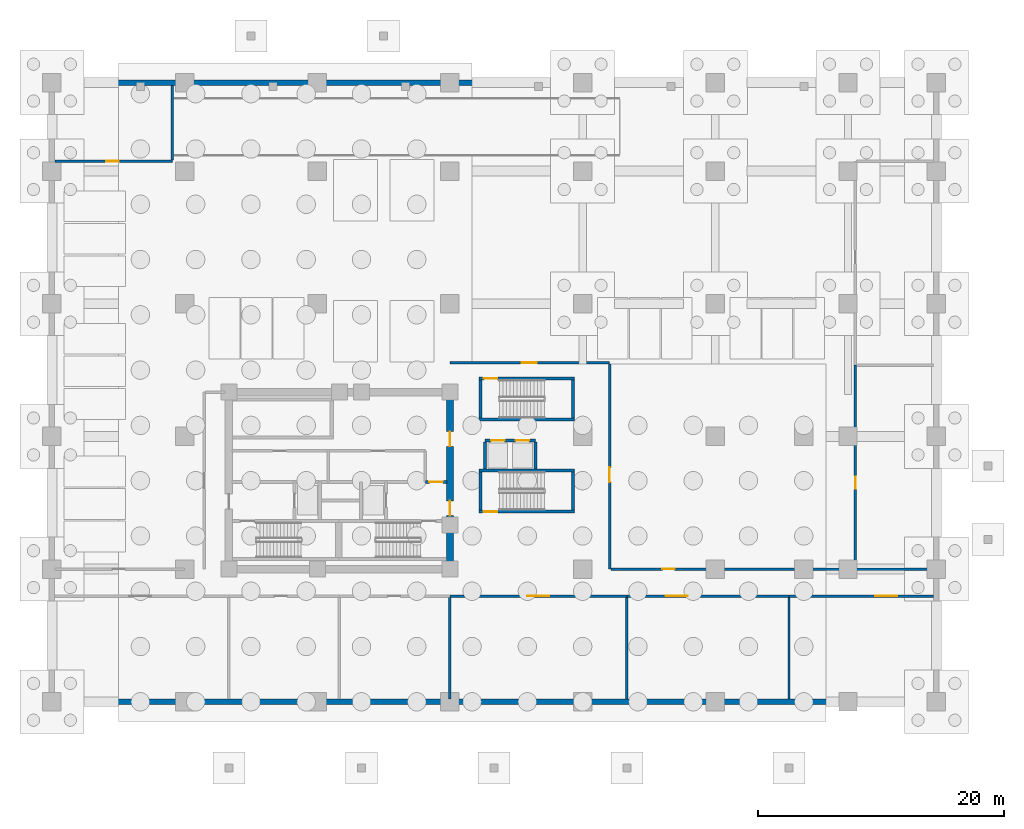
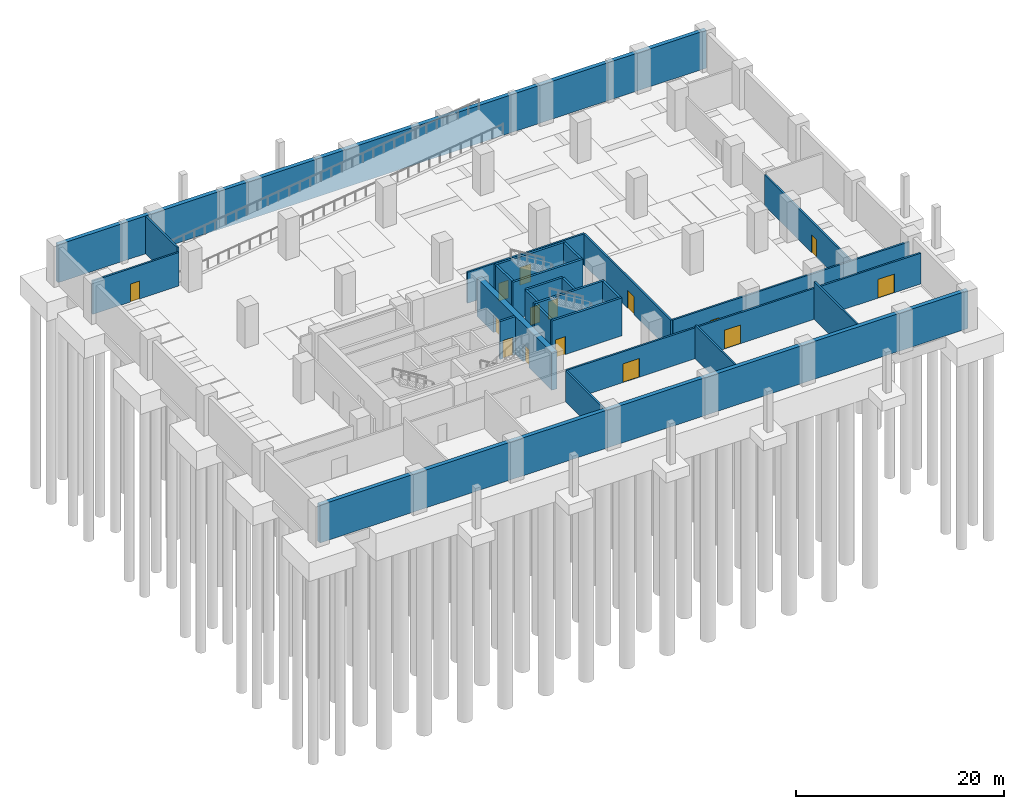
# One storey, part 4 of 9: 27 walls, 15 doors, 15 openings.
"""IFC4 building model written with IfcOpenShell, lengths in metres."""

from ifc_helpers import new_model, si_unit, direction, frame, frame_2d, origin, place, context, subcontext, project, spatial, rectangle, extrude, material, layer, layer_set, type_object, element, fill, save


model = new_model("IFC4")

# Units and contexts
model_context = context("Model", 3, precision=1e-05, world=origin(), true_north=direction((0.0, 1.0)))
body_context = subcontext(model_context, "Body", "Model", "MODEL_VIEW")
ifc_project = project(units=[si_unit("LENGTHUNIT", "METRE"), si_unit("AREAUNIT", "SQUARE_METRE"), si_unit("VOLUMEUNIT", "CUBIC_METRE"), si_unit("PLANEANGLEUNIT", "RADIAN"), si_unit("MASSUNIT", "GRAM", prefix="KILO")], contexts=[model_context])

# Site, building, storey
site_placement = place(None, origin())
site = spatial("IfcSite", under=ifc_project, at=site_placement, CompositionType="ELEMENT")
building_placement = place(site_placement, origin())
building = spatial("IfcBuilding", under=site, at=building_placement, Name="Solnavia Interchange Tower", CompositionType="ELEMENT")
storey_placement = place(building_placement, frame((0.0, 0.0, -9.60009765625)))
storey = spatial("IfcBuildingStorey", under=building, at=storey_placement, Name="B02", CompositionType="ELEMENT", Elevation=-9.60009765625)

# Wall
ifc_material_1 = material(Name="Concrete C40/50", Category="concrete")
ifc_layer_1 = layer(ifc_material_1, 0.199951171875)
ifc_layer_set_1 = layer_set([ifc_layer_1], Name="Concrete C40/50")
wall_type_1 = type_object("IfcWallType", Name="Wall-PlantFire-200", PredefinedType="PARTITIONING", material=ifc_layer_set_1)
wall_1_placement = place(storey_placement, frame((32.39990234375, 0.22900390625, 0.0), z_axis=(0.0, 0.0, 1.0), x_axis=(0.0, 1.0, 0.0)))
element("IfcWall", 1, at=wall_1_placement, inside=storey, type_object=wall_type_1, Name="PTW-B02-06 Interior partition wall", PredefinedType="PARTITIONING", context=body_context, shape_type="SweptSolid", body=[
    extrude(rectangle(XDim=8.26708984375, YDim=0.199951171875, at=frame_2d((4.133544921875, 0.0))), origin(), (0.0, 0.0, 1.0), 3.630126953125),
])

# Wall, opening, door
wall_2_placement = place(storey_placement, frame((32.39990234375, 8.60009765625, 0.0), z_axis=(0.0, 0.0, 1.0), x_axis=(1.0, 0.0, 0.0)))
wall_2 = element("IfcWall", 2, at=wall_2_placement, inside=storey, type_object=wall_type_1, Name="PTW-B02-07 Interior partition wall", PredefinedType="PARTITIONING", context=body_context, shape_type="SweptSolid", body=[
    extrude(rectangle(XDim=14.400146484375, YDim=0.199951171875, at=frame_2d((7.2001953125, 0.0))), origin(), (0.0, 0.0, 1.0), 3.630126953125),
])
opening_1_placement = place(wall_2_placement, frame((6.300048828125, 0.0, 0.0)))
opening_1 = element("IfcOpeningElement", 3, at=opening_1_placement, cuts=wall_2, Name="Opening DR-05", PredefinedType="OPENING", context=body_context, shape_type="SweptSolid", body=[
    extrude(rectangle(XDim=1.800048828125, YDim=2.199951171875, at=frame_2d((0.89990234375, 1.10009765625))), frame((0.0, 0.10986328125, 0.0), z_axis=(0.0, -1.0, 0.0), x_axis=(1.0, 0.0, 0.0)), (0.0, 0.0, 1.0), 0.219970703125),
])
ifc_material_2 = material(Name="Steel Double Fire Door", Category="steel")
door_type_1 = type_object("IfcDoorType", Name="Door-PlantDouble-1800x2200", OperationType="DOUBLE_DOOR_SINGLE_SWING", PredefinedType="DOOR", material=ifc_material_2)
door_1_placement = place(opening_1_placement, origin())
door_1 = element("IfcDoor", 4, at=door_1_placement, inside=storey, type_object=door_type_1, Name="DR-B02-04 Interior room door", OperationType="DOUBLE_DOOR_SINGLE_SWING", OverallHeight=2.199951171875, OverallWidth=1.800048828125, PredefinedType="DOOR", context=body_context, shape_type="SweptSolid", body=[
    extrude(rectangle(XDim=1.800048828125, YDim=2.199951171875, at=frame_2d((0.89990234375, 1.10009765625))), frame((0.0, 0.02490234375, 0.0), z_axis=(0.0, -1.0, 0.0), x_axis=(1.0, 0.0, 0.0)), (0.0, 0.0, 1.0), 0.050048828125),
])
fill(opening_1, door_1)

# Wall
wall_3_placement = place(storey_placement, frame((46.800048828125, 0.22900390625, 0.0), z_axis=(0.0, 0.0, 1.0), x_axis=(0.0, 1.0, 0.0)))
element("IfcWall", 5, at=wall_3_placement, inside=storey, type_object=wall_type_1, Name="PTW-B02-08 Interior partition wall", PredefinedType="PARTITIONING", context=body_context, shape_type="SweptSolid", body=[
    extrude(rectangle(XDim=8.26708984375, YDim=0.199951171875, at=frame_2d((4.133544921875, 0.0))), origin(), (0.0, 0.0, 1.0), 3.93017578125),
])

# Wall, opening, door
wall_4_placement = place(storey_placement, frame((46.800048828125, 8.60009765625, 0.0), z_axis=(0.0, 0.0, 1.0), x_axis=(1.0, 0.0, 0.0)))
wall_4 = element("IfcWall", 6, at=wall_4_placement, inside=storey, type_object=wall_type_1, Name="PTW-B02-09 Interior partition wall", PredefinedType="PARTITIONING", context=body_context, shape_type="SweptSolid", body=[
    extrude(rectangle(XDim=13.199951171875, YDim=0.199951171875, at=frame_2d((6.60009765625, 0.0))), origin(), (0.0, 0.0, 1.0), 3.630126953125),
])
opening_2_placement = place(wall_4_placement, frame((3.158935546875, 0.0, 0.0)))
opening_2 = element("IfcOpeningElement", 7, at=opening_2_placement, cuts=wall_4, Name="Opening DR-05", PredefinedType="OPENING", context=body_context, shape_type="SweptSolid", body=[
    extrude(rectangle(XDim=1.800048828125, YDim=2.199951171875, at=frame_2d((0.89990234375, 1.10009765625))), frame((0.0, 0.10986328125, 0.0), z_axis=(0.0, -1.0, 0.0), x_axis=(1.0, 0.0, 0.0)), (0.0, 0.0, 1.0), 0.219970703125),
])
door_2_placement = place(opening_2_placement, origin())
door_2 = element("IfcDoor", 8, at=door_2_placement, inside=storey, type_object=door_type_1, Name="DR-B02-05 Interior room door", OperationType="DOUBLE_DOOR_SINGLE_SWING", OverallHeight=2.199951171875, OverallWidth=1.800048828125, PredefinedType="DOOR", context=body_context, shape_type="SweptSolid", body=[
    extrude(rectangle(XDim=1.800048828125, YDim=2.199951171875, at=frame_2d((0.89990234375, 1.10009765625))), frame((0.0, 0.02490234375, 0.0), z_axis=(0.0, -1.0, 0.0), x_axis=(1.0, 0.0, 0.0)), (0.0, 0.0, 1.0), 0.050048828125),
])
fill(opening_2, door_2)

# Wall
wall_5_placement = place(storey_placement, frame((60.0, 0.22900390625, 0.0), z_axis=(0.0, 0.0, 1.0), x_axis=(0.0, 1.0, 0.0)))
element("IfcWall", 9, at=wall_5_placement, inside=storey, type_object=wall_type_1, Name="PTW-B02-10 Interior partition wall", PredefinedType="PARTITIONING", context=body_context, shape_type="SweptSolid", body=[
    extrude(rectangle(XDim=8.26708984375, YDim=0.199951171875, at=frame_2d((4.133544921875, 0.0))), origin(), (0.0, 0.0, 1.0), 4.43505859375),
])

# Wall, opening, door
wall_6_placement = place(storey_placement, frame((60.0, 8.60009765625, 0.0), z_axis=(0.0, 0.0, 1.0), x_axis=(1.0, 0.0, 0.0)))
wall_6 = element("IfcWall", 10, at=wall_6_placement, inside=storey, type_object=wall_type_1, Name="PTW-B02-11 Interior partition wall", PredefinedType="PARTITIONING", context=body_context, shape_type="SweptSolid", body=[
    extrude(rectangle(XDim=11.77099609375, YDim=0.199951171875, at=frame_2d((5.885498046875, 0.0))), origin(), (0.0, 0.0, 1.0), 3.630126953125),
])
opening_3_placement = place(wall_6_placement, frame((7.02001953125, 0.0, 0.0)))
opening_3 = element("IfcOpeningElement", 11, at=opening_3_placement, cuts=wall_6, Name="Opening DR-05", PredefinedType="OPENING", context=body_context, shape_type="SweptSolid", body=[
    extrude(rectangle(XDim=1.800048828125, YDim=2.199951171875, at=frame_2d((0.89990234375, 1.10009765625))), frame((0.0, 0.10986328125, 0.0), z_axis=(0.0, -1.0, 0.0), x_axis=(1.0, 0.0, 0.0)), (0.0, 0.0, 1.0), 0.219970703125),
])
door_3_placement = place(opening_3_placement, origin())
door_3 = element("IfcDoor", 12, at=door_3_placement, inside=storey, type_object=door_type_1, Name="DR-B02-06 Interior room door", OperationType="DOUBLE_DOOR_SINGLE_SWING", OverallHeight=2.199951171875, OverallWidth=1.800048828125, PredefinedType="DOOR", context=body_context, shape_type="SweptSolid", body=[
    extrude(rectangle(XDim=1.800048828125, YDim=2.199951171875, at=frame_2d((0.89990234375, 1.10009765625))), frame((0.0, 0.02490234375, 0.0), z_axis=(0.0, -1.0, 0.0), x_axis=(1.0, 0.0, 0.0)), (0.0, 0.0, 1.0), 0.050048828125),
])
fill(opening_3, door_3)

wall_7_placement = place(storey_placement, frame((32.39990234375, 27.60009765625, 0.0), z_axis=(0.0, 0.0, 1.0), x_axis=(1.0, 0.0, 0.0)))
wall_7 = element("IfcWall", 13, at=wall_7_placement, inside=storey, type_object=wall_type_1, Name="PTW-B02-15 Interior partition wall", PredefinedType="PARTITIONING", context=body_context, shape_type="SweptSolid", body=[
    extrude(rectangle(XDim=13.0, YDim=0.199951171875, at=frame_2d((6.5, 0.0))), origin(), (0.0, 0.0, 1.0), 3.630126953125),
])
opening_4_placement = place(wall_7_placement, frame((5.860107421875, 0.0, 0.0)))
opening_4 = element("IfcOpeningElement", 14, at=opening_4_placement, cuts=wall_7, Name="Opening DR-02", PredefinedType="OPENING", context=body_context, shape_type="SweptSolid", body=[
    extrude(rectangle(XDim=1.199951171875, YDim=2.10009765625, at=frame_2d((0.60009765625, 1.050048828125))), frame((0.0, 0.10986328125, 0.0), z_axis=(0.0, -1.0, 0.0), x_axis=(1.0, 0.0, 0.0)), (0.0, 0.0, 1.0), 0.219970703125),
])
ifc_material_3 = material(Name="Steel Fire-Rated Vision-Panel Door", Category="steel")
door_type_2 = type_object("IfcDoorType", Name="Door-LobbyFire-1200x2100", OperationType="SINGLE_SWING_RIGHT", PredefinedType="DOOR", material=ifc_material_3)
door_4_placement = place(opening_4_placement, origin())
door_4 = element("IfcDoor", 15, at=door_4_placement, inside=storey, type_object=door_type_2, Name="DR-B02-09 Interior room door", OperationType="SINGLE_SWING_LEFT", OverallHeight=2.10009765625, OverallWidth=1.199951171875, PredefinedType="DOOR", context=body_context, shape_type="SweptSolid", body=[
    extrude(rectangle(XDim=1.199951171875, YDim=2.10009765625, at=frame_2d((0.60009765625, 1.050048828125))), frame((0.0, 0.02490234375, 0.0), z_axis=(0.0, -1.0, 0.0), x_axis=(1.0, 0.0, 0.0)), (0.0, 0.0, 1.0), 0.050048828125),
])
fill(opening_4, door_4)

wall_8_placement = place(storey_placement, frame((45.39990234375, 10.800048828125, 0.0), z_axis=(0.0, 0.0, 1.0), x_axis=(0.0, 1.0, 0.0)))
wall_8 = element("IfcWall", 16, at=wall_8_placement, inside=storey, type_object=wall_type_1, Name="PTW-B02-16 Interior partition wall", PredefinedType="PARTITIONING", context=body_context, shape_type="SweptSolid", body=[
    extrude(rectangle(XDim=16.696044921875, YDim=0.199951171875, at=frame_2d((8.34814453125, 0.0))), origin(), (0.0, 0.0, 1.0), 3.630126953125),
])
opening_5_placement = place(wall_8_placement, frame((7.08203125, 0.0, 0.0)))
opening_5 = element("IfcOpeningElement", 17, at=opening_5_placement, cuts=wall_8, Name="Opening DR-02", PredefinedType="OPENING", context=body_context, shape_type="SweptSolid", body=[
    extrude(rectangle(XDim=1.199951171875, YDim=2.10009765625, at=frame_2d((0.60009765625, 1.050048828125))), frame((0.0, 0.10986328125, 0.0), z_axis=(0.0, -1.0, 0.0), x_axis=(1.0, 0.0, 0.0)), (0.0, 0.0, 1.0), 0.219970703125),
])
door_5_placement = place(opening_5_placement, origin())
door_5 = element("IfcDoor", 18, at=door_5_placement, inside=storey, type_object=door_type_2, Name="DR-B02-10 Interior room door", OperationType="SINGLE_SWING_RIGHT", OverallHeight=2.10009765625, OverallWidth=1.199951171875, PredefinedType="DOOR", context=body_context, shape_type="SweptSolid", body=[
    extrude(rectangle(XDim=1.199951171875, YDim=2.10009765625, at=frame_2d((0.60009765625, 1.050048828125))), frame((0.0, 0.02490234375, 0.0), z_axis=(0.0, -1.0, 0.0), x_axis=(1.0, 0.0, 0.0)), (0.0, 0.0, 1.0), 0.050048828125),
])
fill(opening_5, door_5)

wall_9_placement = place(storey_placement, frame((45.50390625, 10.800048828125, 0.0), z_axis=(0.0, 0.0, 1.0), x_axis=(1.0, 0.0, 0.0)))
wall_9 = element("IfcWall", 19, at=wall_9_placement, inside=storey, type_object=wall_type_1, Name="PTW-B02-17 Interior partition wall", PredefinedType="PARTITIONING", context=body_context, shape_type="SweptSolid", body=[
    extrude(rectangle(XDim=26.26708984375, YDim=0.199951171875, at=frame_2d((13.133544921875, 0.0))), origin(), (0.0, 0.0, 1.0), 3.630126953125),
])
opening_6_placement = place(wall_9_placement, frame((4.18994140625, 0.0, 0.0)))
opening_6 = element("IfcOpeningElement", 20, at=opening_6_placement, cuts=wall_9, Name="Opening DR-04", PredefinedType="OPENING", context=body_context, shape_type="SweptSolid", body=[
    extrude(rectangle(XDim=1.0, YDim=2.10009765625, at=frame_2d((0.5, 1.050048828125))), frame((0.0, 0.10986328125, 0.0), z_axis=(0.0, -1.0, 0.0), x_axis=(1.0, 0.0, 0.0)), (0.0, 0.0, 1.0), 0.219970703125),
])
ifc_material_4 = material(Name="Steel Fire-Rated Plant Door", Category="steel")
door_type_3 = type_object("IfcDoorType", Name="Door-PlantFire-1000x2100", OperationType="SINGLE_SWING_LEFT", PredefinedType="DOOR", material=ifc_material_4)
door_6_placement = place(opening_6_placement, origin())
door_6 = element("IfcDoor", 21, at=door_6_placement, inside=storey, type_object=door_type_3, Name="DR-B02-11 Interior room door", OperationType="SINGLE_SWING_LEFT", OverallHeight=2.10009765625, OverallWidth=1.0, PredefinedType="DOOR", context=body_context, shape_type="SweptSolid", body=[
    extrude(rectangle(XDim=1.0, YDim=2.10009765625, at=frame_2d((0.5, 1.050048828125))), frame((0.0, 0.02490234375, 0.0), z_axis=(0.0, -1.0, 0.0), x_axis=(1.0, 0.0, 0.0)), (0.0, 0.0, 1.0), 0.050048828125),
])
fill(opening_6, door_6)

wall_10_placement = place(storey_placement, frame((0.22900390625, 44.0, 0.0), z_axis=(0.0, 0.0, 1.0), x_axis=(1.0, 0.0, 0.0)))
wall_10 = element("IfcWall", 22, at=wall_10_placement, inside=storey, type_object=wall_type_1, Name="PTW-B02-18 Interior partition wall", PredefinedType="PARTITIONING", context=body_context, shape_type="SweptSolid", body=[
    extrude(rectangle(XDim=9.571044921875, YDim=0.199951171875, at=frame_2d((4.78564453125, 0.0))), origin(), (0.0, 0.0, 1.0), 3.93017578125),
])
opening_7_placement = place(wall_10_placement, frame((4.2109375, 0.0, 0.0)))
opening_7 = element("IfcOpeningElement", 23, at=opening_7_placement, cuts=wall_10, Name="Opening DR-04", PredefinedType="OPENING", context=body_context, shape_type="SweptSolid", body=[
    extrude(rectangle(XDim=1.0, YDim=2.10009765625, at=frame_2d((0.5, 1.050048828125))), frame((0.0, 0.10986328125, 0.0), z_axis=(0.0, -1.0, 0.0), x_axis=(1.0, 0.0, 0.0)), (0.0, 0.0, 1.0), 0.219970703125),
])
door_7_placement = place(opening_7_placement, origin())
door_7 = element("IfcDoor", 24, at=door_7_placement, inside=storey, type_object=door_type_3, Name="DR-B02-12 Interior room door", OperationType="SINGLE_SWING_LEFT", OverallHeight=2.10009765625, OverallWidth=1.0, PredefinedType="DOOR", context=body_context, shape_type="SweptSolid", body=[
    extrude(rectangle(XDim=1.0, YDim=2.10009765625, at=frame_2d((0.5, 1.050048828125))), frame((0.0, 0.02490234375, 0.0), z_axis=(0.0, -1.0, 0.0), x_axis=(1.0, 0.0, 0.0)), (0.0, 0.0, 1.0), 0.050048828125),
])
fill(opening_7, door_7)

# Wall
wall_11_placement = place(storey_placement, frame((9.800048828125, 44.10400390625, 0.0), z_axis=(0.0, 0.0, 1.0), x_axis=(0.0, 1.0, 0.0)))
element("IfcWall", 25, at=wall_11_placement, inside=storey, type_object=wall_type_1, Name="PTW-B02-19 Interior partition wall", PredefinedType="PARTITIONING", context=body_context, shape_type="SweptSolid", body=[
    extrude(rectangle(XDim=6.06689453125, YDim=0.199951171875, at=frame_2d((3.033447265625, 0.0))), origin(), (0.0, 0.0, 1.0), 4.43505859375),
])

# Wall, opening, door
wall_12_placement = place(storey_placement, frame((65.39990234375, 10.904052734375, 0.0), z_axis=(0.0, 0.0, 1.0), x_axis=(0.0, 1.0, 0.0)))
wall_12 = element("IfcWall", 26, at=wall_12_placement, inside=storey, type_object=wall_type_1, Name="PTW-B02-20 Interior partition wall", PredefinedType="PARTITIONING", context=body_context, shape_type="SweptSolid", body=[
    extrude(rectangle(XDim=16.495849609375, YDim=0.199951171875, at=frame_2d((8.248046875, 0.0))), origin(), (0.0, 0.0, 1.0), 3.630126953125),
])
opening_8_placement = place(wall_12_placement, frame((6.4189453125, 0.0, 0.0)))
opening_8 = element("IfcOpeningElement", 27, at=opening_8_placement, cuts=wall_12, Name="Opening DR-04", PredefinedType="OPENING", context=body_context, shape_type="SweptSolid", body=[
    extrude(rectangle(XDim=1.0, YDim=2.10009765625, at=frame_2d((0.5, 1.050048828125))), frame((0.0, 0.10986328125, 0.0), z_axis=(0.0, -1.0, 0.0), x_axis=(1.0, 0.0, 0.0)), (0.0, 0.0, 1.0), 0.219970703125),
])
door_8_placement = place(opening_8_placement, origin())
door_8 = element("IfcDoor", 28, at=door_8_placement, inside=storey, type_object=door_type_3, Name="DR-B02-13 Interior room door", OperationType="SINGLE_SWING_LEFT", OverallHeight=2.10009765625, OverallWidth=1.0, PredefinedType="DOOR", context=body_context, shape_type="SweptSolid", body=[
    extrude(rectangle(XDim=1.0, YDim=2.10009765625, at=frame_2d((0.5, 1.050048828125))), frame((0.0, 0.02490234375, 0.0), z_axis=(0.0, -1.0, 0.0), x_axis=(1.0, 0.0, 0.0)), (0.0, 0.0, 1.0), 0.050048828125),
])
fill(opening_8, door_8)

# Walls
ifc_layer_2 = layer(ifc_material_1, 0.449951171875)
ifc_layer_set_2 = layer_set([ifc_layer_2], Name="Concrete C40/50")
wall_type_2 = type_object("IfcWallType", Name="Wall-Retaining-450", PredefinedType="SOLIDWALL", material=ifc_layer_set_2)
for number, where, z_axis, x_axis, name in (
    (29, (0.0, 0.0, 0.0), (0.0, 0.0, 1.0), (1.0, 0.0, 0.0), "RTW-B02-01 Basement perimeter retaining wall"),
    (30, (72.0, 50.39990234375, 0.0), (0.0, 0.0, 1.0), (-1.0, 0.0, 0.0), "RTW-B02-03 Basement perimeter retaining wall"),
):
    element("IfcWall", number, at=place(storey_placement, frame(where, z_axis=z_axis, x_axis=x_axis)), inside=storey, type_object=wall_type_2, Name=name, PredefinedType="SOLIDWALL", context=body_context, shape_type="SweptSolid", body=[
        extrude(rectangle(XDim=72.0, YDim=0.449951171875, at=frame_2d((36.0, 0.0))), origin(), (0.0, 0.0, 1.0), 4.4501953125),
    ])

# Wall, opening, door
ifc_layer_3 = layer(ifc_material_1, 0.25)
ifc_layer_set_3 = layer_set([ifc_layer_3], Name="Concrete C40/50")
wall_type_3 = type_object("IfcWallType", Name="Wall-ShaftCore-250", PredefinedType="SHEAR", material=ifc_layer_set_3)
wall_13_placement = place(storey_placement, frame((34.75, 15.47509765625, 0.0), z_axis=(0.0, 0.0, 1.0), x_axis=(1.0, 0.0, 0.0)))
wall_13 = element("IfcWall", 31, at=wall_13_placement, inside=storey, type_object=wall_type_3, Name="SHW-B02-STP1S Core shear wall", PredefinedType="SHEAR", context=body_context, shape_type="SweptSolid", body=[
    extrude(rectangle(XDim=7.800048828125, YDim=0.25, at=frame_2d((3.89990234375, 0.0))), origin(), (0.0, 0.0, 1.0), 4.4501953125),
])
opening_9_placement = place(wall_13_placement, frame((0.405029296875, 0.0, 0.0)))
opening_9 = element("IfcOpeningElement", 32, at=opening_9_placement, cuts=wall_13, Name="Opening DR-01", PredefinedType="OPENING", context=body_context, shape_type="SweptSolid", body=[
    extrude(rectangle(XDim=1.10009765625, YDim=2.10009765625, at=frame_2d((0.550048828125, 1.050048828125))), frame((0.0, 0.135009765625, 0.0), z_axis=(0.0, -1.0, 0.0), x_axis=(1.0, 0.0, 0.0)), (0.0, 0.0, 1.0), 0.27001953125),
])
ifc_material_5 = material(Name="Steel Fire-Rated Leaf & Frame", Category="steel")
door_type_4 = type_object("IfcDoorType", Name="Door-StairFire-1100x2100", OperationType="SINGLE_SWING_LEFT", PredefinedType="DOOR", material=ifc_material_5)
door_9_placement = place(opening_9_placement, origin())
door_9 = element("IfcDoor", 33, at=door_9_placement, inside=storey, type_object=door_type_4, Name="DR-B02-STP1 Core fire door", OperationType="SINGLE_SWING_LEFT", OverallHeight=2.10009765625, OverallWidth=1.10009765625, PredefinedType="DOOR", context=body_context, shape_type="SweptSolid", body=[
    extrude(rectangle(XDim=1.10009765625, YDim=2.10009765625, at=frame_2d((0.550048828125, 1.050048828125))), frame((0.0, 0.02490234375, 0.0), z_axis=(0.0, -1.0, 0.0), x_axis=(1.0, 0.0, 0.0)), (0.0, 0.0, 1.0), 0.050048828125),
])
fill(opening_9, door_9)

# Walls
wall_14_placement = place(storey_placement, frame((34.75, 18.824951171875, 0.0), z_axis=(0.0, 0.0, 1.0), x_axis=(1.0, 0.0, 0.0)))
element("IfcWall", 34, at=wall_14_placement, inside=storey, type_object=wall_type_3, Name="SHW-B02-STP1N Core shear wall", PredefinedType="SHEAR", context=body_context, shape_type="SweptSolid", body=[
    extrude(rectangle(XDim=7.800048828125, YDim=0.25, at=frame_2d((3.89990234375, 0.0))), origin(), (0.0, 0.0, 1.0), 4.4501953125),
])
for number, where, z_axis, x_axis, name in (
    (35, (34.875, 15.60009765625, 0.0), (0.0, 0.0, 1.0), (0.0, 1.0, 0.0), "SHW-B02-STP1W Core shear wall"),
    (36, (42.425048828125, 15.60009765625, 0.0), (0.0, 0.0, 1.0), (0.0, 1.0, 0.0), "SHW-B02-STP1E Core shear wall"),
):
    element("IfcWall", number, at=place(storey_placement, frame(where, z_axis=z_axis, x_axis=x_axis)), inside=storey, type_object=wall_type_3, Name=name, PredefinedType="SHEAR", context=body_context, shape_type="SweptSolid", body=[
        extrude(rectangle(XDim=3.099853515625, YDim=0.25, at=frame_2d((1.5498046875, 0.0))), origin(), (0.0, 0.0, 1.0), 4.4501953125),
    ])
wall_15_placement = place(storey_placement, frame((34.75, 22.97509765625, 0.0), z_axis=(0.0, 0.0, 1.0), x_axis=(1.0, 0.0, 0.0)))
element("IfcWall", 37, at=wall_15_placement, inside=storey, type_object=wall_type_3, Name="SHW-B02-STP2S Core shear wall", PredefinedType="SHEAR", context=body_context, shape_type="SweptSolid", body=[
    extrude(rectangle(XDim=7.800048828125, YDim=0.25, at=frame_2d((3.89990234375, 0.0))), origin(), (0.0, 0.0, 1.0), 4.4501953125),
])

# Wall, opening, door
wall_16_placement = place(storey_placement, frame((34.75, 26.324951171875, 0.0), z_axis=(0.0, 0.0, 1.0), x_axis=(1.0, 0.0, 0.0)))
wall_16 = element("IfcWall", 38, at=wall_16_placement, inside=storey, type_object=wall_type_3, Name="SHW-B02-STP2N Core shear wall", PredefinedType="SHEAR", context=body_context, shape_type="SweptSolid", body=[
    extrude(rectangle(XDim=7.800048828125, YDim=0.25, at=frame_2d((3.89990234375, 0.0))), origin(), (0.0, 0.0, 1.0), 4.4501953125),
])
opening_10_placement = place(wall_16_placement, frame((0.405029296875, 0.0, 0.0)))
opening_10 = element("IfcOpeningElement", 39, at=opening_10_placement, cuts=wall_16, Name="Opening DR-01", PredefinedType="OPENING", context=body_context, shape_type="SweptSolid", body=[
    extrude(rectangle(XDim=1.10009765625, YDim=2.10009765625, at=frame_2d((0.550048828125, 1.050048828125))), frame((0.0, 0.135009765625, 0.0), z_axis=(0.0, -1.0, 0.0), x_axis=(1.0, 0.0, 0.0)), (0.0, 0.0, 1.0), 0.27001953125),
])
door_10_placement = place(opening_10_placement, origin())
door_10 = element("IfcDoor", 40, at=door_10_placement, inside=storey, type_object=door_type_4, Name="DR-B02-STP2 Core fire door", OperationType="SINGLE_SWING_RIGHT", OverallHeight=2.10009765625, OverallWidth=1.10009765625, PredefinedType="DOOR", context=body_context, shape_type="SweptSolid", body=[
    extrude(rectangle(XDim=1.10009765625, YDim=2.10009765625, at=frame_2d((0.550048828125, 1.050048828125))), frame((0.0, 0.02490234375, 0.0), z_axis=(0.0, -1.0, 0.0), x_axis=(1.0, 0.0, 0.0)), (0.0, 0.0, 1.0), 0.050048828125),
])
fill(opening_10, door_10)

# Walls
for number, where, z_axis, x_axis, name in (
    (41, (34.875, 23.10009765625, 0.0), (0.0, 0.0, 1.0), (0.0, 1.0, 0.0), "SHW-B02-STP2W Core shear wall"),
    (42, (42.425048828125, 23.10009765625, 0.0), (0.0, 0.0, 1.0), (0.0, 1.0, 0.0), "SHW-B02-STP2E Core shear wall"),
):
    element("IfcWall", number, at=place(storey_placement, frame(where, z_axis=z_axis, x_axis=x_axis)), inside=storey, type_object=wall_type_3, Name=name, PredefinedType="SHEAR", context=body_context, shape_type="SweptSolid", body=[
        extrude(rectangle(XDim=3.099853515625, YDim=0.25, at=frame_2d((1.5498046875, 0.0))), origin(), (0.0, 0.0, 1.0), 4.4501953125),
    ])

# Wall, opening, door
ifc_layer_4 = layer(ifc_material_1, 0.25)
ifc_layer_set_4 = layer_set([ifc_layer_4], Name="Concrete C40/50")
wall_type_4 = type_object("IfcWallType", Name="Wall-ShaftPart-250", PredefinedType="PARTITIONING", material=ifc_layer_set_4)
wall_17_placement = place(storey_placement, frame((30.39990234375, 17.89990234375, 0.0), z_axis=(0.0, 0.0, 1.0), x_axis=(1.0, 0.0, 0.0)))
wall_17 = element("IfcWall", 43, at=wall_17_placement, inside=storey, type_object=wall_type_4, Name="SHW-B02-FFLE-N2 Core shaft wall", PredefinedType="PARTITIONING", context=body_context, shape_type="SweptSolid", body=[
    extrude(rectangle(XDim=1.75, YDim=0.25, at=frame_2d((0.875, 0.0))), origin(), (0.0, 0.0, 1.0), 4.43505859375),
])
opening_11_placement = place(wall_17_placement, frame((0.320068359375, 0.0, 0.0)))
opening_11 = element("IfcOpeningElement", 44, at=opening_11_placement, cuts=wall_17, Name="Opening DR-01", PredefinedType="OPENING", context=body_context, shape_type="SweptSolid", body=[
    extrude(rectangle(XDim=1.10009765625, YDim=2.10009765625, at=frame_2d((0.550048828125, 1.050048828125))), frame((0.0, 0.135009765625, 0.0), z_axis=(0.0, -1.0, 0.0), x_axis=(1.0, 0.0, 0.0)), (0.0, 0.0, 1.0), 0.27001953125),
])
door_11_placement = place(opening_11_placement, origin())
door_11 = element("IfcDoor", 45, at=door_11_placement, inside=storey, type_object=door_type_4, Name="DR-B02-LLC Core fire door", OperationType="SINGLE_SWING_LEFT", OverallHeight=2.10009765625, OverallWidth=1.10009765625, PredefinedType="DOOR", context=body_context, shape_type="SweptSolid", body=[
    extrude(rectangle(XDim=1.10009765625, YDim=2.10009765625, at=frame_2d((0.550048828125, 1.050048828125))), frame((0.0, 0.02490234375, 0.0), z_axis=(0.0, -1.0, 0.0), x_axis=(1.0, 0.0, 0.0)), (0.0, 0.0, 1.0), 0.050048828125),
])
fill(opening_11, door_11)

# Wall, openings, doors
wall_18_placement = place(storey_placement, frame((35.25, 21.280029296875, 0.0), z_axis=(0.0, 0.0, 1.0), x_axis=(1.0, 0.0, 0.0)))
wall_18 = element("IfcWall", 46, at=wall_18_placement, inside=storey, type_object=wall_type_4, Name="SHW-B02-PLN Core shaft wall", PredefinedType="PARTITIONING", context=body_context, shape_type="SweptSolid", body=[
    extrude(rectangle(XDim=4.10009765625, YDim=0.25, at=frame_2d((2.050048828125, 0.0))), origin(), (0.0, 0.0, 1.0), 4.43505859375),
])
opening_12_placement = place(wall_18_placement, frame((0.5, 0.0, 0.0)))
opening_12 = element("IfcOpeningElement", 47, at=opening_12_placement, cuts=wall_18, Name="Opening LD-01", PredefinedType="OPENING", context=body_context, shape_type="SweptSolid", body=[
    extrude(rectangle(XDim=1.10009765625, YDim=2.10009765625, at=frame_2d((0.550048828125, 1.050048828125))), frame((0.0, 0.135009765625, 0.0), z_axis=(0.0, -1.0, 0.0), x_axis=(1.0, 0.0, 0.0)), (0.0, 0.0, 1.0), 0.27001953125),
])
opening_13_placement = place(wall_18_placement, frame((2.5, 0.0, 0.0)))
opening_13 = element("IfcOpeningElement", 48, at=opening_13_placement, cuts=wall_18, Name="Opening LD-01", PredefinedType="OPENING", context=body_context, shape_type="SweptSolid", body=[
    extrude(rectangle(XDim=1.10009765625, YDim=2.10009765625, at=frame_2d((0.550048828125, 1.050048828125))), frame((0.0, 0.135009765625, 0.0), z_axis=(0.0, -1.0, 0.0), x_axis=(1.0, 0.0, 0.0)), (0.0, 0.0, 1.0), 0.27001953125),
])
ifc_material_6 = material(Name="Brushed Stainless Steel Sliding Door", Category="steel")
door_type_5 = type_object("IfcDoorType", Name="Door-LiftLanding-1100x2100", OperationType="SLIDING_TO_LEFT", PredefinedType="DOOR", material=ifc_material_6)
door_12_placement = place(opening_12_placement, origin())
door_12 = element("IfcDoor", 49, at=door_12_placement, inside=storey, type_object=door_type_5, Name="LD-B02-PL-1 Lift landing sliding door", OperationType="SLIDING_TO_LEFT", OverallHeight=2.10009765625, OverallWidth=1.10009765625, PredefinedType="DOOR", context=body_context, shape_type="SweptSolid", body=[
    extrude(rectangle(XDim=1.10009765625, YDim=2.10009765625, at=frame_2d((0.550048828125, 1.050048828125))), frame((0.0, 0.02490234375, 0.0), z_axis=(0.0, -1.0, 0.0), x_axis=(1.0, 0.0, 0.0)), (0.0, 0.0, 1.0), 0.050048828125),
])
fill(opening_12, door_12)
door_13_placement = place(opening_13_placement, origin())
door_13 = element("IfcDoor", 50, at=door_13_placement, inside=storey, type_object=door_type_5, Name="LD-B02-PL-2 Lift landing sliding door", OperationType="SLIDING_TO_LEFT", OverallHeight=2.10009765625, OverallWidth=1.10009765625, PredefinedType="DOOR", context=body_context, shape_type="SweptSolid", body=[
    extrude(rectangle(XDim=1.10009765625, YDim=2.10009765625, at=frame_2d((0.550048828125, 1.050048828125))), frame((0.0, 0.02490234375, 0.0), z_axis=(0.0, -1.0, 0.0), x_axis=(1.0, 0.0, 0.0)), (0.0, 0.0, 1.0), 0.050048828125),
])
fill(opening_13, door_13)

# Walls
for number, where, z_axis, x_axis, name in (
    (51, (35.25, 18.949951171875, 0.0), (0.0, 0.0, 1.0), (0.0, 1.0, 0.0), "SHW-B02-PLW Core shaft wall"),
    (52, (39.35009765625, 18.949951171875, 0.0), (0.0, 0.0, 1.0), (0.0, 1.0, 0.0), "SHW-B02-PLE Core shaft wall"),
):
    element("IfcWall", number, at=place(storey_placement, frame(where, z_axis=z_axis, x_axis=x_axis)), inside=storey, type_object=wall_type_4, Name=name, PredefinedType="PARTITIONING", context=body_context, shape_type="SweptSolid", body=[
        extrude(rectangle(XDim=2.205078125, YDim=0.25, at=frame_2d((1.1025390625, 0.0))), origin(), (0.0, 0.0, 1.0), 4.43505859375),
    ])

# Wall, openings, doors
ifc_material_7 = material(Name="Concrete C60/75", Category="concrete")
ifc_layer_5 = layer(ifc_material_7, 0.60009765625)
ifc_layer_set_5 = layer_set([ifc_layer_5], Name="Concrete C60/75")
wall_type_5 = type_object("IfcWallType", Name="Wall-ShearCore-600", PredefinedType="SHEAR", material=ifc_layer_set_5)
wall_19_placement = place(storey_placement, frame((32.39990234375, 10.800048828125, 0.0), z_axis=(0.0, 0.0, 1.0), x_axis=(0.0, 1.0, 0.0)))
wall_19 = element("IfcWall", 53, at=wall_19_placement, inside=storey, type_object=wall_type_5, Name="CRW-B02-E Core shear wall", PredefinedType="SHEAR", context=body_context, shape_type="SweptSolid", body=[
    extrude(rectangle(XDim=14.39990234375, YDim=0.60009765625, at=frame_2d((7.199951171875, 0.0))), origin(), (0.0, 0.0, 1.0), 4.4501953125),
])
opening_14_placement = place(wall_19_placement, frame((4.35009765625, 0.0, 0.0)))
opening_14 = element("IfcOpeningElement", 54, at=opening_14_placement, cuts=wall_19, Name="Opening DR-02", PredefinedType="OPENING", context=body_context, shape_type="SweptSolid", body=[
    extrude(rectangle(XDim=1.199951171875, YDim=2.10009765625, at=frame_2d((0.60009765625, 1.050048828125))), frame((0.0, 0.31005859375, 0.0), z_axis=(0.0, -1.0, 0.0), x_axis=(1.0, 0.0, 0.0)), (0.0, 0.0, 1.0), 0.6201171875),
])
opening_15_placement = place(wall_19_placement, frame((10.0, 0.0, 0.0)))
opening_15 = element("IfcOpeningElement", 55, at=opening_15_placement, cuts=wall_19, Name="Opening DR-02", PredefinedType="OPENING", context=body_context, shape_type="SweptSolid", body=[
    extrude(rectangle(XDim=1.199951171875, YDim=2.10009765625, at=frame_2d((0.60009765625, 1.050048828125))), frame((0.0, 0.31005859375, 0.0), z_axis=(0.0, -1.0, 0.0), x_axis=(1.0, 0.0, 0.0)), (0.0, 0.0, 1.0), 0.6201171875),
])
door_14_placement = place(opening_14_placement, origin())
door_14 = element("IfcDoor", 56, at=door_14_placement, inside=storey, type_object=door_type_2, Name="DR-B02-FFL2E Core fire door", OperationType="SINGLE_SWING_LEFT", OverallHeight=2.10009765625, OverallWidth=1.199951171875, PredefinedType="DOOR", context=body_context, shape_type="SweptSolid", body=[
    extrude(rectangle(XDim=1.199951171875, YDim=2.10009765625, at=frame_2d((0.60009765625, 1.050048828125))), frame((0.0, 0.02490234375, 0.0), z_axis=(0.0, -1.0, 0.0), x_axis=(1.0, 0.0, 0.0)), (0.0, 0.0, 1.0), 0.050048828125),
])
fill(opening_14, door_14)
door_15_placement = place(opening_15_placement, origin())
door_15 = element("IfcDoor", 57, at=door_15_placement, inside=storey, type_object=door_type_2, Name="DR-B02-LLE Core fire door", OperationType="SINGLE_SWING_RIGHT", OverallHeight=2.10009765625, OverallWidth=1.199951171875, PredefinedType="DOOR", context=body_context, shape_type="SweptSolid", body=[
    extrude(rectangle(XDim=1.199951171875, YDim=2.10009765625, at=frame_2d((0.60009765625, 1.050048828125))), frame((0.0, 0.02490234375, 0.0), z_axis=(0.0, -1.0, 0.0), x_axis=(1.0, 0.0, 0.0)), (0.0, 0.0, 1.0), 0.050048828125),
])
fill(opening_15, door_15)

save(model, "model.ifc")
